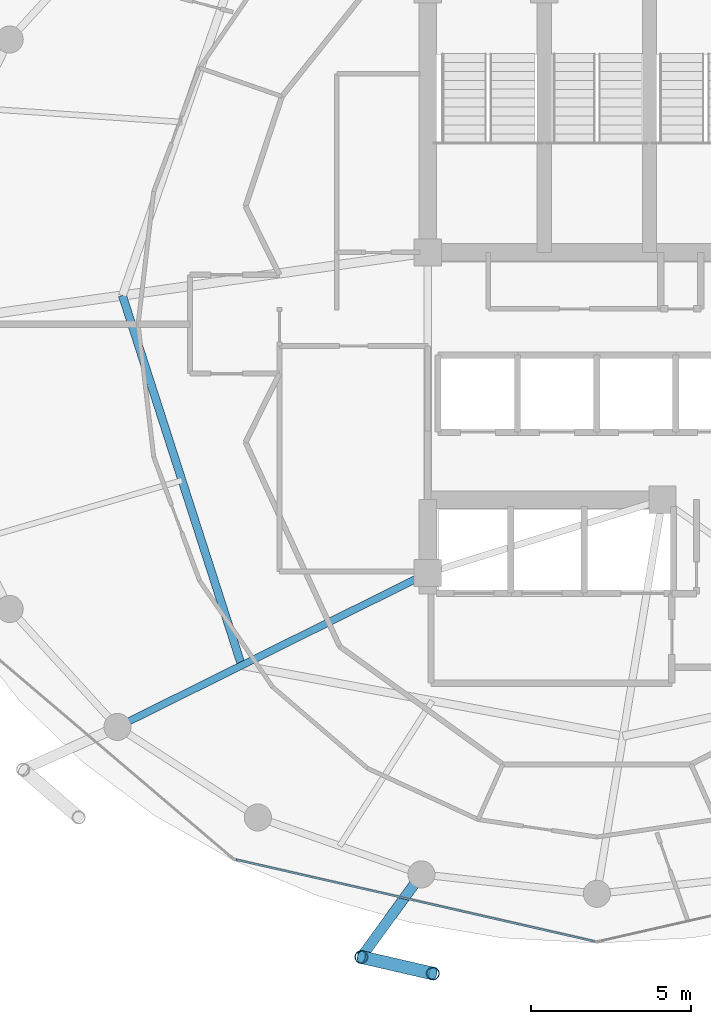
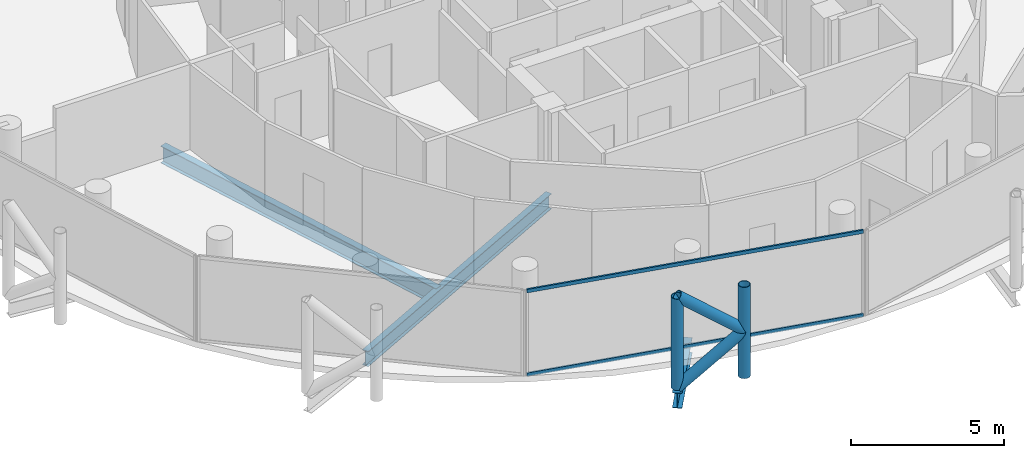
# One storey, part 4 of 27: 6 members, 3 beams, 1 element without a shape of its own.
"""IFC4 building model written with IfcOpenShell, lengths in metres."""

from ifc_helpers import new_model, si_unit, direction, frame, origin, origin_2d, place, context, subcontext, project, spatial, hollow_rectangle, hollow_circle, i_section, extrude, material, layer, layer_set, material_profile, profile_set, type_object, element, aggregate, save


model = new_model("IFC4")

# Units and contexts
model_context = context("Model", 3, precision=1e-05, world=origin(), true_north=direction((0.0, 1.0)))
body_context = subcontext(model_context, "Body", "Model", "MODEL_VIEW")
ifc_project = project(units=[si_unit("LENGTHUNIT", "METRE"), si_unit("AREAUNIT", "SQUARE_METRE"), si_unit("VOLUMEUNIT", "CUBIC_METRE"), si_unit("PLANEANGLEUNIT", "RADIAN"), si_unit("MASSUNIT", "GRAM", prefix="KILO")], contexts=[model_context])

# Site, building, storey
site_placement = place(None, origin())
site = spatial("IfcSite", under=ifc_project, at=site_placement, CompositionType="ELEMENT")
building_placement = place(site_placement, origin())
building = spatial("IfcBuilding", under=site, at=building_placement, Name="Nuhasar Tower", CompositionType="ELEMENT")
storey_placement = place(building_placement, frame((0.0, 0.0, 226.39990234375)))
storey = spatial("IfcBuildingStorey", under=building, at=storey_placement, Name="L55", CompositionType="ELEMENT", Elevation=226.39990234375)

# Beams
ifc_material_1 = material(Name="Steel S355", Category="steel")
ifc_material_profile_1 = material_profile(ifc_material_1, i_section(OverallWidth=0.25390625, OverallDepth=0.68408203125, WebThickness=0.012451171875, FlangeThickness=0.018798828125, at=origin_2d()), Name="W27X94")
ifc_profile_set_1 = profile_set([ifc_material_profile_1], Name="Steel S355")
beam_type_1 = type_object("IfcBeamType", Name="BM-INRING-W27X94", PredefinedType="BEAM", material=ifc_profile_set_1)
beam_1_placement = place(storey_placement, frame((24.1298828125, 27.699951171875, -0.581787109375), z_axis=(0.306589852134, -0.951841721385, 0.0), x_axis=(0.951841721385, 0.306589852134, 0.0)))
element("IfcBeam", 1, at=beam_1_placement, inside=storey, type_object=beam_type_1, Name="L55 Inner Header Beam 08", PredefinedType="BEAM", context=body_context, shape_type="SweptSolid", body=[
    extrude(i_section(OverallWidth=0.25390625, OverallDepth=0.68408203125, WebThickness=0.012451171875, FlangeThickness=0.018798828125, at=origin_2d()), origin(), (0.0, 0.0, 1.0), 12.179443359375),
])
ifc_material_profile_2 = material_profile(ifc_material_1, i_section(OverallWidth=0.22900390625, OverallDepth=0.612060546875, WebThickness=0.011962890625, FlangeThickness=0.01953125, at=origin_2d()), Name="W24X84")
ifc_profile_set_2 = profile_set([ifc_material_profile_2], Name="Steel S355")
beam_type_2 = type_object("IfcBeamType", Name="BM-RAD-W24X84", PredefinedType="BEAM", material=ifc_profile_set_2)
beam_2_placement = place(storey_placement, frame((33.699951171875, 19.0, -0.5458984375), z_axis=(-0.895928935233, -0.444197414459, 0.0), x_axis=(0.444197414459, -0.895928935233, 0.0)))
element("IfcBeam", 2, at=beam_2_placement, inside=storey, type_object=beam_type_2, Name="L55 Radial Floor Girder 01", PredefinedType="BEAM", context=body_context, shape_type="SweptSolid", body=[
    extrude(i_section(OverallWidth=0.22900390625, OverallDepth=0.612060546875, WebThickness=0.011962890625, FlangeThickness=0.01953125, at=origin_2d()), origin(), (0.0, 0.0, 1.0), 10.85546875),
])
ifc_material_profile_3 = material_profile(ifc_material_1, i_section(OverallWidth=0.323974609375, OverallDepth=0.611083984375, WebThickness=0.0126953125, FlangeThickness=0.01904296875, at=origin_2d()), Name="W24X104")
ifc_profile_set_3 = profile_set([ifc_material_profile_3], Name="Steel S355")
beam_type_3 = type_object("IfcBeamType", Name="BM-TIE-W24X104", PredefinedType="BEAM", material=ifc_profile_set_3)
beam_3_placement = place(storey_placement, frame((33.5, 9.55810546875, -0.544921875), z_axis=(-0.588094663461, -0.808792103577, 0.0), x_axis=(0.808792103577, -0.588094663461, 0.0)))
element("IfcBeam", 3, at=beam_3_placement, inside=storey, type_object=beam_type_3, Name="L55 Exoskeleton Node Tie Beam 09", PredefinedType="BEAM", context=body_context, shape_type="SweptSolid", body=[
    extrude(i_section(OverallWidth=0.323974609375, OverallDepth=0.611083984375, WebThickness=0.0126953125, FlangeThickness=0.01904296875, at=origin_2d()), origin(), (0.0, 0.0, 1.0), 3.20361328125),
])

# Curtain wall, members
ifc_material_2 = material(Name="Aluminium 6063-T6", Category="aluminium")
ifc_layer = layer(ifc_material_2, 0.18994140625)
ifc_layer_set = layer_set([ifc_layer], Name="Aluminium 6063-T6")
curtain_wall_type = type_object("IfcCurtainWallType", Name="CW-Z3-RES", PredefinedType="NOTDEFINED", material=ifc_layer_set)
curtain_wall_placement = place(storey_placement, origin())
curtain_wall = element("IfcCurtainWall", 4, at=curtain_wall_placement, inside=storey, type_object=curtain_wall_type, Name="L55 Unitised Curtain Wall 09", PredefinedType="NOTDEFINED")
ifc_material_profile_4 = material_profile(ifc_material_2, hollow_rectangle(XDim=0.06494140625, YDim=0.139892578125, WallThickness=0.00439453125, at=origin_2d()), Name="CWT-4")
ifc_profile_set_4 = profile_set([ifc_material_profile_4], Name="Aluminium 6063-T6")
member_type_1 = type_object("IfcMemberType", Name="CW-TRN-S4", PredefinedType="USERDEFINED", material=ifc_profile_set_4)
member_1_placement = place(storey_placement, frame((27.683349609375, 10.01953125, 0.03271484375), z_axis=(0.974989487479, -0.222250982686, 0.0), x_axis=(0.222250982686, 0.974989487479, 0.0)))
member_1 = element("IfcMember", 5, at=member_1_placement, type_object=member_type_1, Name="CW-Z3 transom 1.1", ObjectType="TRANSOM", PredefinedType="USERDEFINED", context=body_context, shape_type="SweptSolid", body=[
    extrude(hollow_rectangle(XDim=0.06494140625, YDim=0.139892578125, WallThickness=0.00439453125, at=origin_2d()), origin(), (0.0, 0.0, 1.0), 11.541748046875),
])
member_2_placement = place(storey_placement, frame((27.683349609375, 10.01953125, 3.377685546875), z_axis=(0.974989487479, -0.222250982686, 0.0), x_axis=(0.222250982686, 0.974989487479, 0.0)))
member_2 = element("IfcMember", 6, at=member_2_placement, type_object=member_type_1, Name="CW-Z3 transom 1.2", ObjectType="TRANSOM", PredefinedType="USERDEFINED", context=body_context, shape_type="SweptSolid", body=[
    extrude(hollow_rectangle(XDim=0.06494140625, YDim=0.139892578125, WallThickness=0.00439453125, at=origin_2d()), origin(), (0.0, 0.0, 1.0), 11.541748046875),
])
aggregate(curtain_wall, [member_1, member_2])

# Members
ifc_material_3 = material(Name="Steel S460", Category="steel")
ifc_material_profile_5 = material_profile(ifc_material_3, hollow_circle(Radius=0.203125, WallThickness=0.01904296875, at=origin_2d()), Name="HSS406.4X19.1")
ifc_profile_set_5 = profile_set([ifc_material_profile_5], Name="Steel S460")
member_type_2 = type_object("IfcMemberType", Name="EXO-BRONZE-406", PredefinedType="BRACE", material=ifc_profile_set_5)
for number, where, z_axis, x_axis, name in (
    (7, (31.615966796875, 6.967041015625, 0.0), (0.0, 0.0, 1.0), (1.0, 0.0, 0.0), "L55 Exoskeleton Chord Column EC-09A"),
    (8, (33.85693359375, 6.450927734375, 0.0), (0.0, 0.0, 1.0), (1.0, 0.0, 0.0), "L55 Exoskeleton Chord Column EC-09B"),
):
    element("IfcMember", number, at=place(storey_placement, frame(where, z_axis=z_axis, x_axis=x_axis)), inside=storey, type_object=member_type_2, Name=name, PredefinedType="BRACE", context=body_context, shape_type="SweptSolid", body=[
        extrude(hollow_circle(Radius=0.203125, WallThickness=0.01904296875, at=origin_2d()), origin(), (0.0, 0.0, 1.0), 3.650146484375),
    ])
member_3_placement = place(storey_placement, frame((31.615966796875, 6.967041015625, 0.0), z_axis=(0.763292124721, -0.175792521153, 0.621676862884), x_axis=(0.224433035437, 0.97448951385, 0.0)))
element("IfcMember", 9, at=member_3_placement, inside=storey, type_object=member_type_2, Name="L55 Bronze Diagrid Brace W1-09", PredefinedType="BRACE", context=body_context, shape_type="SweptSolid", body=[
    extrude(hollow_circle(Radius=0.203125, WallThickness=0.01904296875, at=origin_2d()), origin(), (0.0, 0.0, 1.0), 2.93603515625),
])
member_4_placement = place(storey_placement, frame((33.85693359375, 6.450927734375, 1.8251953125), z_axis=(-0.76333158458, 0.175801609086, 0.621625841021), x_axis=(-0.224433035437, -0.97448951385, 0.0)))
element("IfcMember", 10, at=member_4_placement, inside=storey, type_object=member_type_2, Name="L55 Bronze Diagrid Brace W2-09", PredefinedType="BRACE", context=body_context, shape_type="SweptSolid", body=[
    extrude(hollow_circle(Radius=0.203125, WallThickness=0.01904296875, at=origin_2d()), origin(), (0.0, 0.0, 1.0), 2.935791015625),
])

save(model, "model.ifc")
